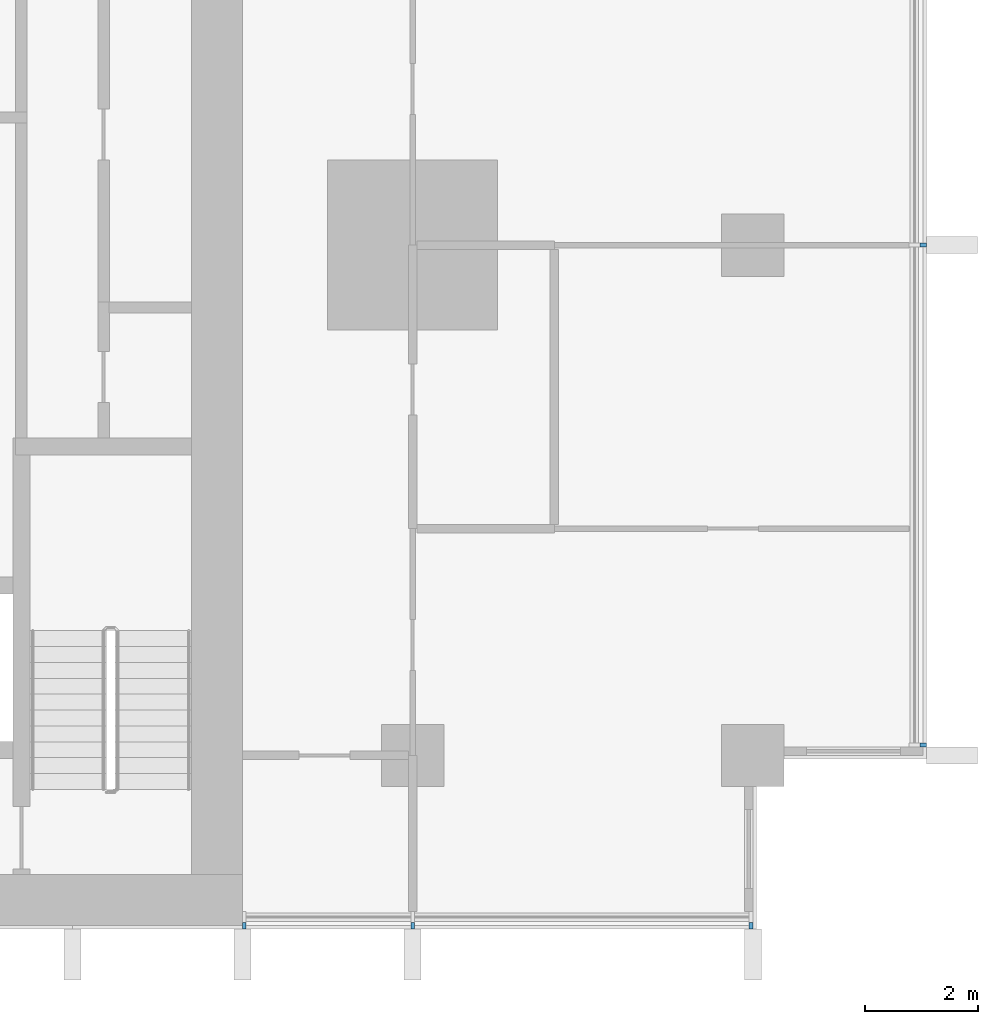
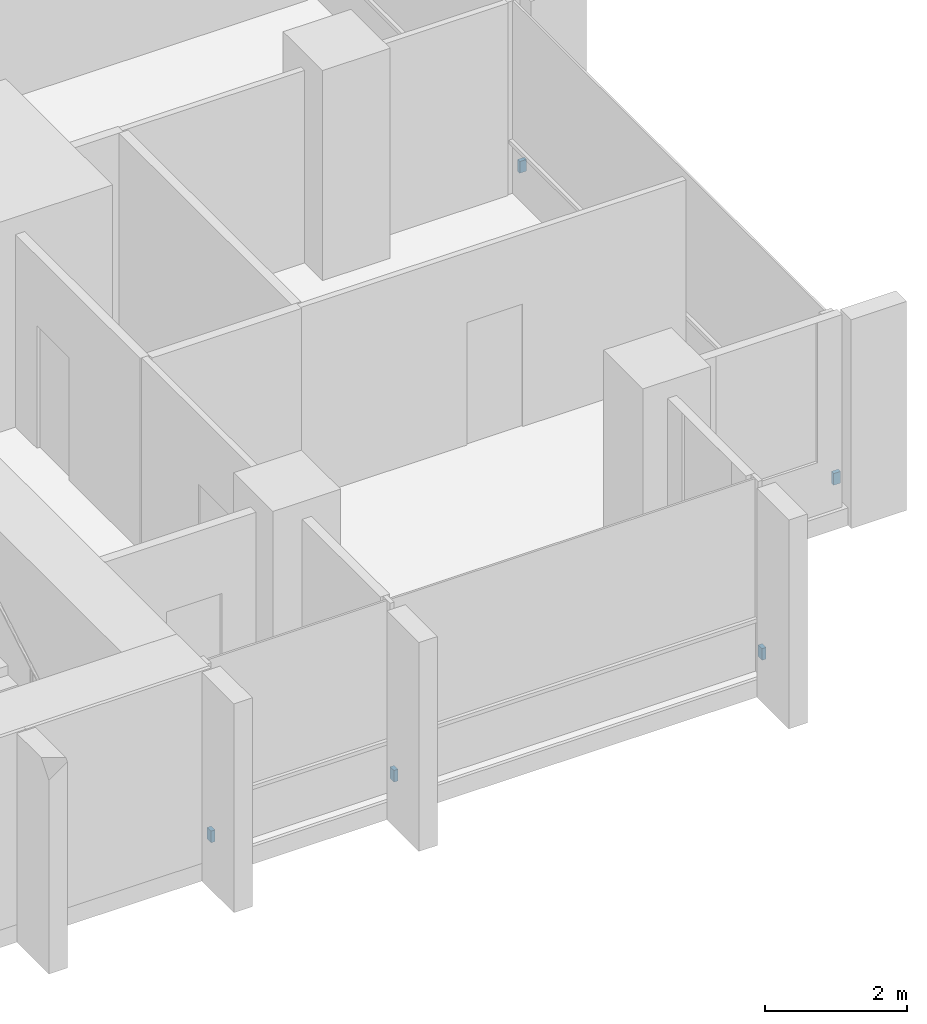
# One storey, part 15 of 18: 5 discrete accessories.
"""IFC4 building model written with IfcOpenShell, lengths in metres."""

from ifc_helpers import new_model, si_unit, direction, frame, origin, origin_2d, place, context, subcontext, project, spatial, rectangle, extrude, material, type_object, element, save


model = new_model("IFC4")

# Units and contexts
model_context = context("Model", 3, precision=1e-05, world=origin(), true_north=direction((0.0, 1.0)))
body_context = subcontext(model_context, "Body", "Model", "MODEL_VIEW")
ifc_project = project(units=[si_unit("LENGTHUNIT", "METRE"), si_unit("AREAUNIT", "SQUARE_METRE"), si_unit("VOLUMEUNIT", "CUBIC_METRE"), si_unit("PLANEANGLEUNIT", "RADIAN"), si_unit("MASSUNIT", "GRAM", prefix="KILO")], contexts=[model_context])

# Site, building, storey
site_placement = place(None, origin())
site = spatial("IfcSite", under=ifc_project, at=site_placement, CompositionType="ELEMENT")
building_placement = place(site_placement, origin())
building = spatial("IfcBuilding", under=site, at=building_placement, Name="Finial Court Residences", CompositionType="ELEMENT")
storey_placement = place(building_placement, frame((0.0, 0.0, 57.699951171875)))
storey = spatial("IfcBuildingStorey", under=building, at=storey_placement, Name="L13", CompositionType="ELEMENT", Elevation=57.699951171875)

# Discrete accessories
ifc_material = material(Name="Stainless steel 316", Category="steel")
discrete_accessory_type = type_object("IfcDiscreteAccessoryType", Name="Fin bracket, stainless steel 65 x 110 x 200", PredefinedType="BRACKET", material=ifc_material)
for number, where, z_axis, x_axis, name in (
    (1, (25.5048828125, -22.3173828125, 0.30029296875), (0.0, 0.0, 1.0), (1.0, 0.0, 0.0), "E-L13-FIN-E9-BRK"),
    (2, (25.5048828125, -13.5, 0.30029296875), (0.0, 0.0, 1.0), (1.0, 0.0, 0.0), "E-L13-FIN-E10-BRK"),
):
    element("IfcDiscreteAccessory", number, at=place(storey_placement, frame(where, z_axis=z_axis, x_axis=x_axis)), inside=storey, type_object=discrete_accessory_type, Name=name, PredefinedType="BRACKET", context=body_context, shape_type="SweptSolid", body=[
        extrude(rectangle(XDim=0.110107421875, YDim=0.06494140625, at=origin_2d()), origin(), (0.0, 0.0, 1.0), 0.199951171875),
    ])
for number, where, z_axis, x_axis, name in (
    (3, (13.532470703125, -25.5048828125, 0.30029296875), (0.0, 0.0, 1.0), (1.0, 0.0, 0.0), "E-L13-FIN-S24-BRK"),
    (4, (16.5, -25.5048828125, 0.30029296875), (0.0, 0.0, 1.0), (1.0, 0.0, 0.0), "E-L13-FIN-S25-BRK"),
    (5, (22.467529296875, -25.5048828125, 0.30029296875), (0.0, 0.0, 1.0), (1.0, 0.0, 0.0), "E-L13-FIN-S26-BRK"),
):
    element("IfcDiscreteAccessory", number, at=place(storey_placement, frame(where, z_axis=z_axis, x_axis=x_axis)), inside=storey, type_object=discrete_accessory_type, Name=name, PredefinedType="BRACKET", context=body_context, shape_type="SweptSolid", body=[
        extrude(rectangle(XDim=0.06494140625, YDim=0.110107421875, at=origin_2d()), origin(), (0.0, 0.0, 1.0), 0.199951171875),
    ])

save(model, "model.ifc")
